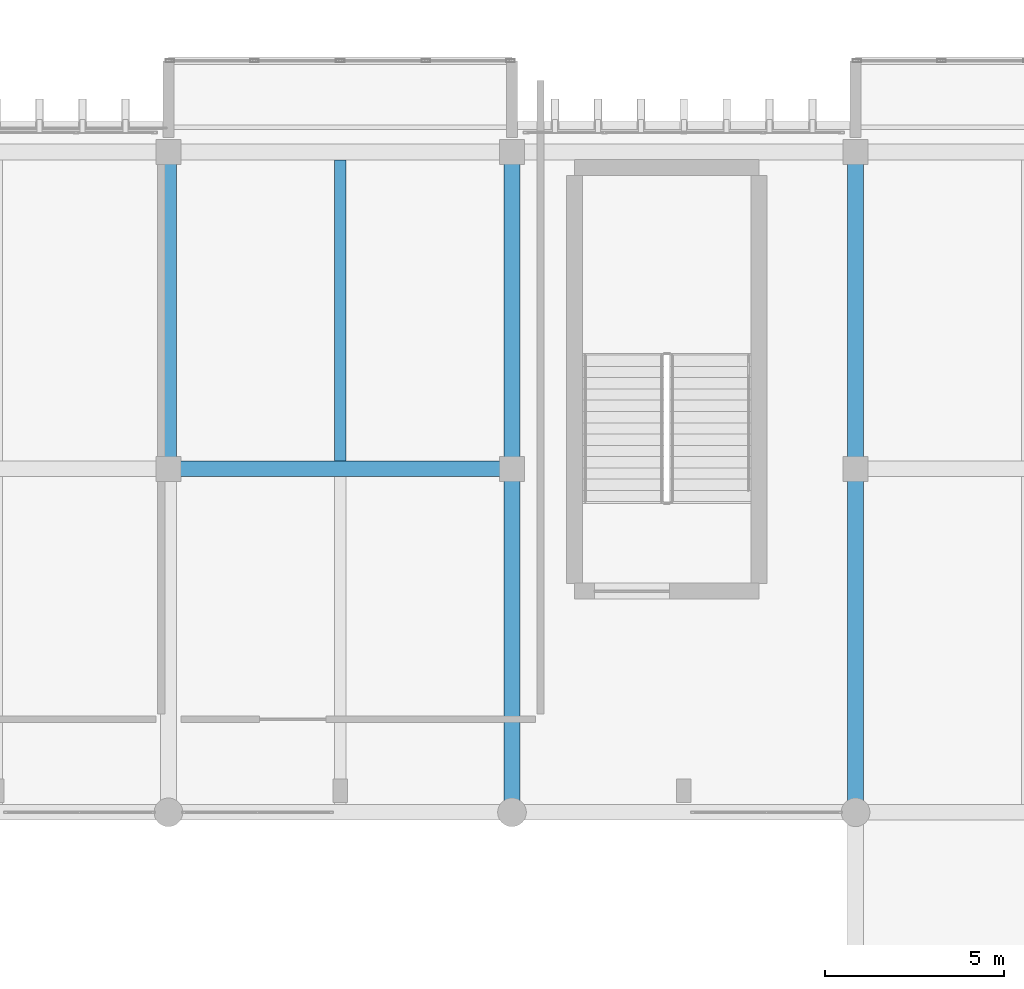
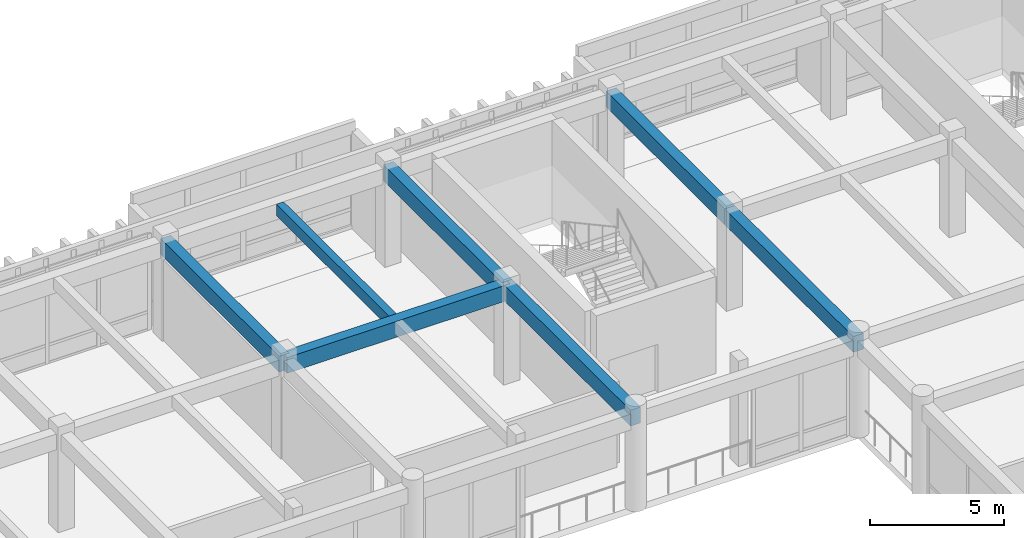
# One storey, part 45 of 133: 7 beams.
"""IFC4 building model written with IfcOpenShell, lengths in metres."""

from ifc_helpers import new_model, si_unit, direction, frame, origin, origin_2d, place, context, subcontext, project, spatial, rectangle, extrude, material, material_profile, profile_set, type_object, element, save


model = new_model("IFC4")

# Units and contexts
model_context = context("Model", 3, precision=1e-05, world=origin(), true_north=direction((0.0, 1.0)))
body_context = subcontext(model_context, "Body", "Model", "MODEL_VIEW")
ifc_project = project(units=[si_unit("LENGTHUNIT", "METRE"), si_unit("AREAUNIT", "SQUARE_METRE"), si_unit("VOLUMEUNIT", "CUBIC_METRE"), si_unit("PLANEANGLEUNIT", "RADIAN"), si_unit("MASSUNIT", "GRAM", prefix="KILO")], contexts=[model_context])

# Site, building, storey
site_placement = place(None, origin())
site = spatial("IfcSite", under=ifc_project, at=site_placement, CompositionType="ELEMENT")
building_placement = place(site_placement, origin())
building = spatial("IfcBuilding", under=site, at=building_placement, Name="Nakhvara Creek Congress Hotel", CompositionType="ELEMENT")
storey_placement = place(building_placement, frame((0.0, 0.0, 11.39990234375)))
storey = spatial("IfcBuildingStorey", under=building, at=storey_placement, Name="L02", CompositionType="ELEMENT", Elevation=11.39990234375)

# Beams
ifc_material = material(Name="Concrete C40/50", Category="concrete")
ifc_material_profile_1 = material_profile(ifc_material, rectangle(XDim=0.320068359375, YDim=0.52001953125, at=origin_2d()), Name="RC-BM 320x520", Category="LoadBearing")
ifc_profile_set_1 = profile_set([ifc_material_profile_1], Name="Concrete C40/50")
beam_type_1 = type_object("IfcBeamType", Name="BM-RC-320X520", PredefinedType="JOIST", material=ifc_profile_set_1)
beam_1_placement = place(storey_placement, frame((110.39990234375, 86.6201171875, 4.16015625), z_axis=(0.0, 1.0, 0.0), x_axis=(-1.0, 0.0, 0.0)))
element("IfcBeam", 1, at=beam_1_placement, inside=storey, type_object=beam_type_1, Name="Secondary Joist BJ2-L02-1683", PredefinedType="JOIST", context=body_context, shape_type="SweptSolid", body=[
    extrude(rectangle(XDim=0.320068359375, YDim=0.52001953125, at=origin_2d()), origin(), (0.0, 0.0, 1.0), 8.409912109375),
])
ifc_material_profile_2 = material_profile(ifc_material, rectangle(XDim=0.43994140625, YDim=0.719970703125, at=origin_2d()), Name="RC-BM 440x720", Category="LoadBearing")
ifc_profile_set_2 = profile_set([ifc_material_profile_2], Name="Concrete C40/50")
beam_type_2 = type_object("IfcBeamType", Name="BM-RC-440X720", PredefinedType="BEAM", material=ifc_profile_set_2)
beam_2_placement = place(storey_placement, frame((105.60009765625, 86.39990234375, 4.06005859375), z_axis=(0.0, 1.0, 0.0), x_axis=(-1.0, 0.0, 0.0)))
element("IfcBeam", 2, at=beam_2_placement, inside=storey, type_object=beam_type_2, Name="Beam B12-L02-1502", PredefinedType="BEAM", context=body_context, shape_type="SweptSolid", body=[
    extrude(rectangle(XDim=0.43994140625, YDim=0.719970703125, at=origin_2d()), origin(), (0.0, 0.0, 1.0), 8.85009765625),
])
for number, where, z_axis, x_axis, name in (
    (3, (105.60009765625, 86.39990234375, 4.06005859375), (1.0, 0.0, 0.0), (0.0, 1.0, 0.0), "Beam B12-L02-1503"),
    (4, (115.199951171875, 76.800048828125, 4.06005859375), (0.0, 1.0, 0.0), (-1.0, 0.0, 0.0), "Beam B12-L02-1515"),
):
    element("IfcBeam", number, at=place(storey_placement, frame(where, z_axis=z_axis, x_axis=x_axis)), inside=storey, type_object=beam_type_2, Name=name, PredefinedType="BEAM", context=body_context, shape_type="SweptSolid", body=[
        extrude(rectangle(XDim=0.43994140625, YDim=0.719970703125, at=origin_2d()), origin(), (0.0, 0.0, 1.0), 9.599853515625),
    ])
beam_3_placement = place(storey_placement, frame((115.199951171875, 86.39990234375, 4.06005859375), z_axis=(0.0, 1.0, 0.0), x_axis=(-1.0, 0.0, 0.0)))
element("IfcBeam", 5, at=beam_3_placement, inside=storey, type_object=beam_type_2, Name="Beam B12-L02-1517", PredefinedType="BEAM", context=body_context, shape_type="SweptSolid", body=[
    extrude(rectangle(XDim=0.43994140625, YDim=0.719970703125, at=origin_2d()), origin(), (0.0, 0.0, 1.0), 8.85009765625),
])
beam_4_placement = place(storey_placement, frame((124.800048828125, 76.800048828125, 4.06005859375), z_axis=(0.0, 1.0, 0.0), x_axis=(-1.0, 0.0, 0.0)))
element("IfcBeam", 6, at=beam_4_placement, inside=storey, type_object=beam_type_2, Name="Beam B12-L02-1535", PredefinedType="BEAM", context=body_context, shape_type="SweptSolid", body=[
    extrude(rectangle(XDim=0.43994140625, YDim=0.719970703125, at=origin_2d()), origin(), (0.0, 0.0, 1.0), 9.599853515625),
])
beam_5_placement = place(storey_placement, frame((124.800048828125, 86.39990234375, 4.06005859375), z_axis=(0.0, 1.0, 0.0), x_axis=(-1.0, 0.0, 0.0)))
element("IfcBeam", 7, at=beam_5_placement, inside=storey, type_object=beam_type_2, Name="Beam B12-L02-1537", PredefinedType="BEAM", context=body_context, shape_type="SweptSolid", body=[
    extrude(rectangle(XDim=0.43994140625, YDim=0.719970703125, at=origin_2d()), origin(), (0.0, 0.0, 1.0), 8.85009765625),
])

save(model, "model.ifc")
